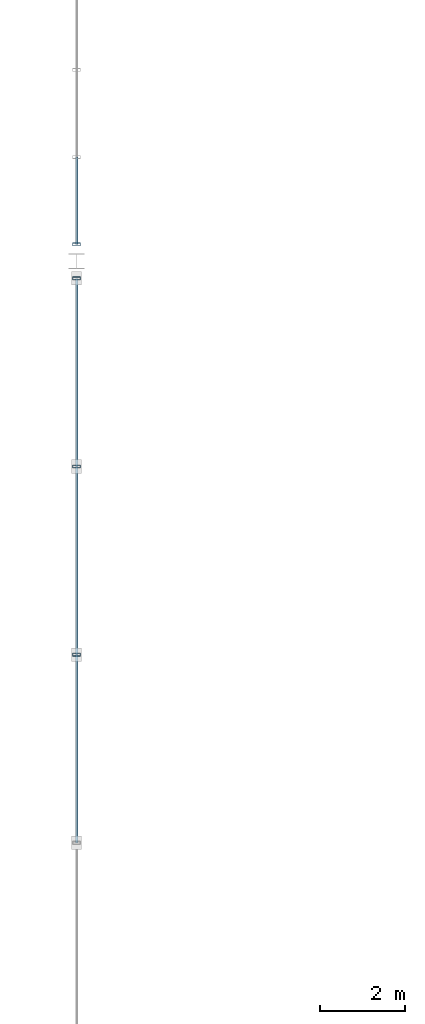
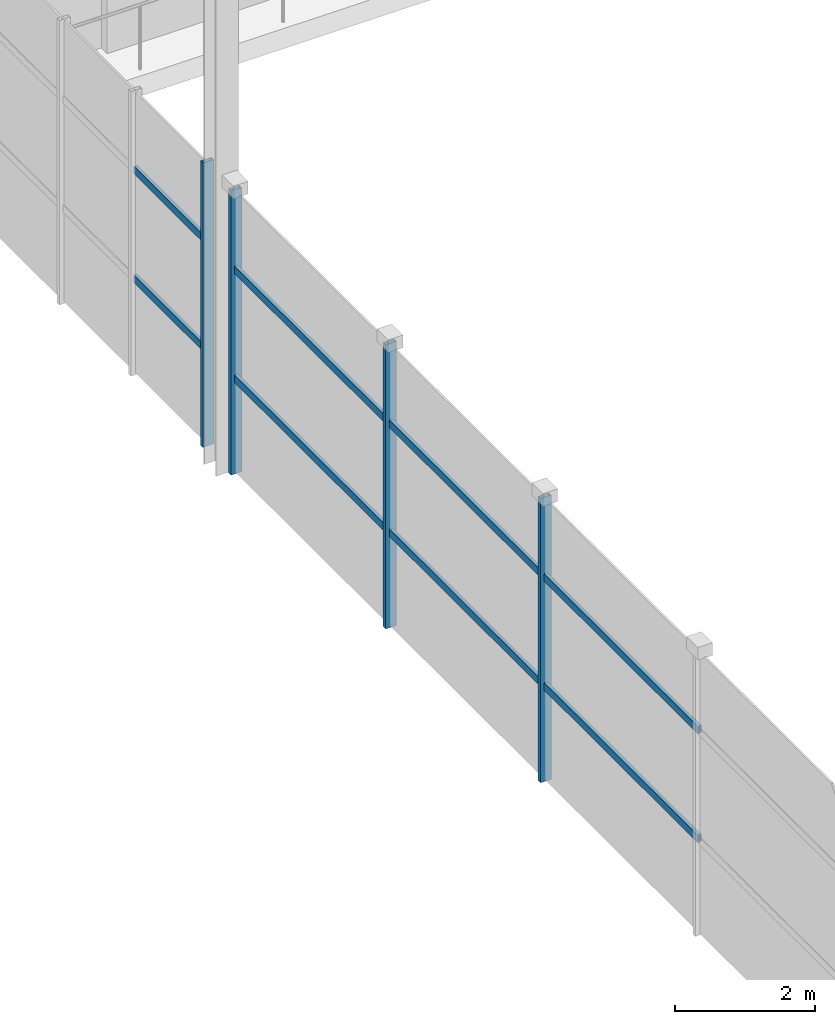
# One storey, part 24 of 148: 12 members, 2 elements without a shape of their own.
"""IFC4 building model written with IfcOpenShell, lengths in metres."""

from ifc_helpers import new_model, si_unit, direction, frame, origin, origin_2d, place, context, subcontext, project, spatial, hollow_rectangle, extrude, material, material_profile, profile_set, type_object, element, aggregate, save


model = new_model("IFC4")

# Units and contexts
model_context = context("Model", 3, precision=1e-05, world=origin(), true_north=direction((0.0, 1.0)))
body_context = subcontext(model_context, "Body", "Model", "MODEL_VIEW")
ifc_project = project(units=[si_unit("LENGTHUNIT", "METRE"), si_unit("AREAUNIT", "SQUARE_METRE"), si_unit("VOLUMEUNIT", "CUBIC_METRE"), si_unit("PLANEANGLEUNIT", "RADIAN"), si_unit("MASSUNIT", "GRAM", prefix="KILO")], contexts=[model_context])

# Site, building, storey
site_placement = place(None, origin())
site = spatial("IfcSite", under=ifc_project, at=site_placement, CompositionType="ELEMENT")
building_placement = place(site_placement, origin())
building = spatial("IfcBuilding", under=site, at=building_placement, Name="Ologun Quay Terminus", CompositionType="ELEMENT")
storey_placement = place(building_placement, frame((0.0, 0.0, 8.39990234375)))
storey = spatial("IfcBuildingStorey", under=building, at=storey_placement, Name="L02", CompositionType="ELEMENT", Elevation=8.39990234375)

# Curtain wall, members
ifc_material_1 = material(Name="Aluminium 6063-T6", Category="aluminium")
curtain_wall_type_1 = type_object("IfcCurtainWallType", Name="Train Shed Gable Center Screen 17500x4900", PredefinedType="USERDEFINED", material=ifc_material_1)
curtain_wall_1_placement = place(storey_placement, origin())
curtain_wall_1 = element("IfcCurtainWall", 1, at=curtain_wall_1_placement, inside=storey, type_object=curtain_wall_type_1, Name="CW-11 Curtain Wall CW-GBL-W2", ObjectType="UNITISED CURTAIN WALL", PredefinedType="USERDEFINED")
ifc_material_2 = material(Name="Aluminium 6063-T6", Category="aluminium")
ifc_material_profile_1 = material_profile(ifc_material_2, hollow_rectangle(XDim=0.070068359375, YDim=0.179931640625, WallThickness=0.0048828125, at=origin_2d()), Name="ALU 180x70x5")
ifc_profile_set_1 = profile_set([ifc_material_profile_1], Name="Aluminium 6063-T6")
member_type_1 = type_object("IfcMemberType", Name="Concourse Clerestory Mullion 180x70", PredefinedType="MULLION", material=ifc_profile_set_1)
member_1_placement = place(storey_placement, frame((0.0, 59.75, 0.14013671875), z_axis=(0.0, 0.0, 1.0), x_axis=(0.0, 1.0, 0.0)))
member_1 = element("IfcMember", 2, at=member_1_placement, type_object=member_type_1, Name="CW-GBL-W2 Mullion 3", PredefinedType="MULLION", context=body_context, shape_type="SweptSolid", body=[
    extrude(hollow_rectangle(XDim=0.070068359375, YDim=0.179931640625, WallThickness=0.0048828125, at=origin_2d()), origin(), (0.0, 0.0, 1.0), 4.9599609375),
])
member_2_placement = place(storey_placement, frame((0.0, 64.175048828125, 0.14013671875), z_axis=(0.0, 0.0, 1.0), x_axis=(0.0, 1.0, 0.0)))
member_2 = element("IfcMember", 3, at=member_2_placement, type_object=member_type_1, Name="CW-GBL-W2 Mullion 4", PredefinedType="MULLION", context=body_context, shape_type="SweptSolid", body=[
    extrude(hollow_rectangle(XDim=0.070068359375, YDim=0.179931640625, WallThickness=0.0048828125, at=origin_2d()), origin(), (0.0, 0.0, 1.0), 4.9599609375),
])
member_3_placement = place(storey_placement, frame((0.0, 68.60009765625, 0.14013671875), z_axis=(0.0, 0.0, 1.0), x_axis=(0.0, 1.0, 0.0)))
member_3 = element("IfcMember", 4, at=member_3_placement, type_object=member_type_1, Name="CW-GBL-W2 Mullion 5", PredefinedType="MULLION", context=body_context, shape_type="SweptSolid", body=[
    extrude(hollow_rectangle(XDim=0.070068359375, YDim=0.179931640625, WallThickness=0.0048828125, at=origin_2d()), origin(), (0.0, 0.0, 1.0), 4.9599609375),
])

# Curtain wall, member
ifc_material_3 = material(Name="Aluminium 6063-T6", Category="aluminium")
curtain_wall_type_2 = type_object("IfcCurtainWallType", Name="Train Shed Gable Arch Screen 13500x4900", PredefinedType="USERDEFINED", material=ifc_material_3)
curtain_wall_2_placement = place(storey_placement, origin())
curtain_wall_2 = element("IfcCurtainWall", 5, at=curtain_wall_2_placement, inside=storey, type_object=curtain_wall_type_2, Name="CW-10 Curtain Wall CW-GBL-W3", ObjectType="UNITISED CURTAIN WALL", PredefinedType="USERDEFINED")
member_4_placement = place(storey_placement, frame((0.0, 69.39990234375, 0.14013671875), z_axis=(0.0, 0.0, 1.0), x_axis=(0.0, 1.0, 0.0)))
member_4 = element("IfcMember", 6, at=member_4_placement, type_object=member_type_1, Name="CW-GBL-W3 Mullion 1", PredefinedType="MULLION", context=body_context, shape_type="SweptSolid", body=[
    extrude(hollow_rectangle(XDim=0.070068359375, YDim=0.179931640625, WallThickness=0.0048828125, at=origin_2d()), origin(), (0.0, 0.0, 1.0), 4.9599609375),
])

# Member
ifc_material_4 = material(Name="Aluminium 6063-T6", Category="aluminium")
ifc_material_profile_2 = material_profile(ifc_material_4, hollow_rectangle(XDim=0.06005859375, YDim=0.1298828125, WallThickness=0.00390625, at=origin_2d()), Name="ALU 130x60x4")
ifc_profile_set_2 = profile_set([ifc_material_profile_2], Name="Aluminium 6063-T6")
member_type_2 = type_object("IfcMemberType", Name="Concourse Clerestory Transom 130x60", PredefinedType="USERDEFINED", material=ifc_profile_set_2)
member_5_placement = place(storey_placement, frame((0.0, 55.324951171875, 1.800048828125), z_axis=(0.0, 1.0, 0.0), x_axis=(-1.0, 0.0, 0.0)))
member_5 = element("IfcMember", 7, at=member_5_placement, type_object=member_type_2, Name="CW-GBL-W2 Transom B2-1", ObjectType="TRANSOM", PredefinedType="USERDEFINED", context=body_context, shape_type="SweptSolid", body=[
    extrude(hollow_rectangle(XDim=0.06005859375, YDim=0.1298828125, WallThickness=0.00390625, at=origin_2d()), origin(), (0.0, 0.0, 1.0), 4.425048828125),
])

member_6_placement = place(storey_placement, frame((0.0, 55.324951171875, 3.7001953125), z_axis=(0.0, 1.0, 0.0), x_axis=(-1.0, 0.0, 0.0)))
member_6 = element("IfcMember", 8, at=member_6_placement, type_object=member_type_2, Name="CW-GBL-W2 Transom B2-2", ObjectType="TRANSOM", PredefinedType="USERDEFINED", context=body_context, shape_type="SweptSolid", body=[
    extrude(hollow_rectangle(XDim=0.06005859375, YDim=0.1298828125, WallThickness=0.00390625, at=origin_2d()), origin(), (0.0, 0.0, 1.0), 4.425048828125),
])

member_7_placement = place(storey_placement, frame((0.0, 59.75, 1.800048828125), z_axis=(0.0, 1.0, 0.0), x_axis=(-1.0, 0.0, 0.0)))
member_7 = element("IfcMember", 9, at=member_7_placement, type_object=member_type_2, Name="CW-GBL-W2 Transom B3-1", ObjectType="TRANSOM", PredefinedType="USERDEFINED", context=body_context, shape_type="SweptSolid", body=[
    extrude(hollow_rectangle(XDim=0.06005859375, YDim=0.1298828125, WallThickness=0.00390625, at=origin_2d()), origin(), (0.0, 0.0, 1.0), 4.425048828125),
])

member_8_placement = place(storey_placement, frame((0.0, 59.75, 3.7001953125), z_axis=(0.0, 1.0, 0.0), x_axis=(-1.0, 0.0, 0.0)))
member_8 = element("IfcMember", 10, at=member_8_placement, type_object=member_type_2, Name="CW-GBL-W2 Transom B3-2", ObjectType="TRANSOM", PredefinedType="USERDEFINED", context=body_context, shape_type="SweptSolid", body=[
    extrude(hollow_rectangle(XDim=0.06005859375, YDim=0.1298828125, WallThickness=0.00390625, at=origin_2d()), origin(), (0.0, 0.0, 1.0), 4.425048828125),
])

member_9_placement = place(storey_placement, frame((0.0, 64.175048828125, 1.800048828125), z_axis=(0.0, 1.0, 0.0), x_axis=(-1.0, 0.0, 0.0)))
member_9 = element("IfcMember", 11, at=member_9_placement, type_object=member_type_2, Name="CW-GBL-W2 Transom B4-1", ObjectType="TRANSOM", PredefinedType="USERDEFINED", context=body_context, shape_type="SweptSolid", body=[
    extrude(hollow_rectangle(XDim=0.06005859375, YDim=0.1298828125, WallThickness=0.00390625, at=origin_2d()), origin(), (0.0, 0.0, 1.0), 4.425048828125),
])

member_10_placement = place(storey_placement, frame((0.0, 64.175048828125, 3.7001953125), z_axis=(0.0, 1.0, 0.0), x_axis=(-1.0, 0.0, 0.0)))
member_10 = element("IfcMember", 12, at=member_10_placement, type_object=member_type_2, Name="CW-GBL-W2 Transom B4-2", ObjectType="TRANSOM", PredefinedType="USERDEFINED", context=body_context, shape_type="SweptSolid", body=[
    extrude(hollow_rectangle(XDim=0.06005859375, YDim=0.1298828125, WallThickness=0.00390625, at=origin_2d()), origin(), (0.0, 0.0, 1.0), 4.425048828125),
])

aggregate(curtain_wall_1, [member_1, member_2, member_3, member_5, member_6, member_7, member_8, member_9, member_10])

member_11_placement = place(storey_placement, frame((0.0, 69.39990234375, 1.800048828125), z_axis=(0.0, 1.0, 0.0), x_axis=(-1.0, 0.0, 0.0)))
member_11 = element("IfcMember", 13, at=member_11_placement, type_object=member_type_2, Name="CW-GBL-W3 Transom B1-1", ObjectType="TRANSOM", PredefinedType="USERDEFINED", context=body_context, shape_type="SweptSolid", body=[
    extrude(hollow_rectangle(XDim=0.06005859375, YDim=0.1298828125, WallThickness=0.00390625, at=origin_2d()), origin(), (0.0, 0.0, 1.0), 2.050048828125),
])

member_12_placement = place(storey_placement, frame((0.0, 69.39990234375, 3.7001953125), z_axis=(0.0, 1.0, 0.0), x_axis=(-1.0, 0.0, 0.0)))
member_12 = element("IfcMember", 14, at=member_12_placement, type_object=member_type_2, Name="CW-GBL-W3 Transom B1-2", ObjectType="TRANSOM", PredefinedType="USERDEFINED", context=body_context, shape_type="SweptSolid", body=[
    extrude(hollow_rectangle(XDim=0.06005859375, YDim=0.1298828125, WallThickness=0.00390625, at=origin_2d()), origin(), (0.0, 0.0, 1.0), 2.050048828125),
])

aggregate(curtain_wall_2, [member_4, member_11, member_12])

save(model, "model.ifc")
